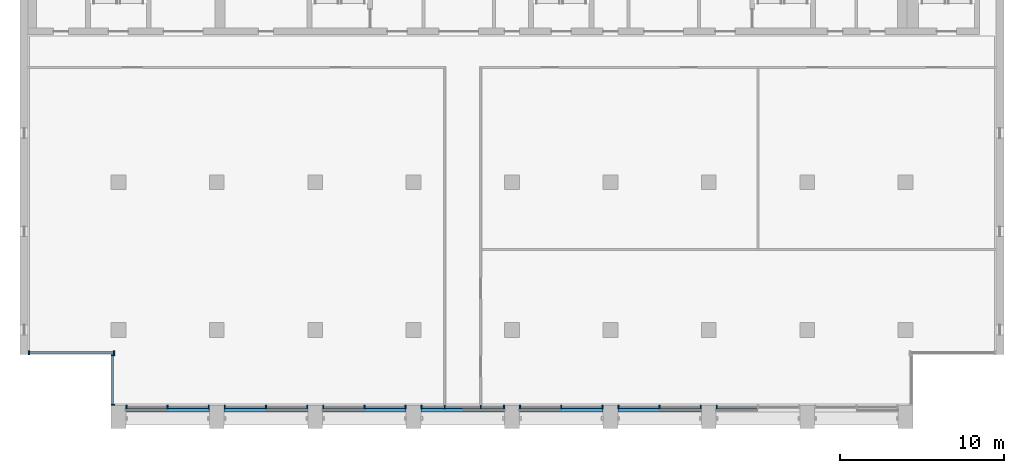
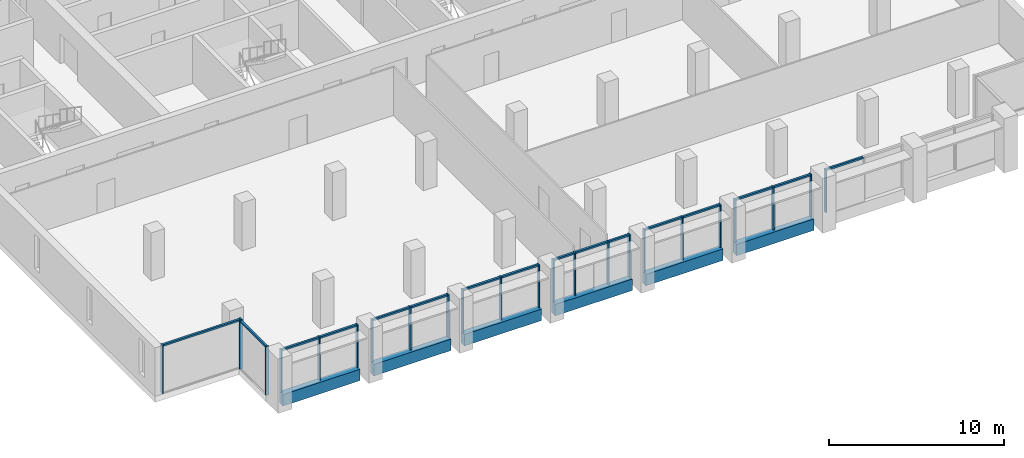
# One storey, part 2 of 14: 40 members, 6 beams, 9 elements without a shape of their own.
"""IFC4 building model written with IfcOpenShell, lengths in metres."""

import ifcopenshell
import ifcopenshell.guid

model = None  # the IFC model being written
_history = None  # IfcOwnerHistory: only IFC2X3 demands one
_inside = {}  # id of a spatial element -> (the spatial element, [elements in it])
_under = {}  # id of a project, library or spatial element -> (it, [spatial elements below it])
_declared = {}  # id of a project -> (the project, [libraries it declares])
_typed = {}  # id of a type object -> (the type object, [elements of that type])
_made_of = {}  # id of a material, layer set ... -> (it, [elements and type objects made of it])


def new_model(schema):
    """Start an empty IFC model of exactly this schema.

    Asked for "IFC4X3", IfcOpenShell would pick the latest addendum, in which some entities
    have other attributes; the version numbers below select the first issue.
    IFC2X3 requires an IfcOwnerHistory on every rooted entity: one is made here for all.
    """
    global model, _history
    if schema == "IFC4X3":
        model = ifcopenshell.file(schema_version=(4, 3, 0, 0))
    else:
        model = ifcopenshell.file(schema=schema)
    _inside.clear()
    _under.clear()
    _declared.clear()
    _typed.clear()
    _made_of.clear()
    _history = None
    if model.schema == "IFC2X3":
        org = make("IfcOrganization", Name="unknown")
        user = make(
            "IfcPersonAndOrganization",
            ThePerson=make("IfcPerson", FamilyName="unknown"),
            TheOrganization=org,
        )
        app = make(
            "IfcApplication",
            ApplicationDeveloper=org,
            Version="unknown",
            ApplicationFullName="unknown",
            ApplicationIdentifier="unknown",
        )
        _history = make(
            "IfcOwnerHistory",
            OwningUser=user,
            OwningApplication=app,
            ChangeAction="ADDED",
            CreationDate=0,
        )
    return model


def make(cls, **values):
    """One entity of the class cls with the attributes given. An attribute that is None is left unset."""
    return model.create_entity(
        cls, **{name: value for name, value in values.items() if value is not None}
    )


def rooted(cls, **values):
    """An entity with a GlobalId (a new one), such as an element, a storey or a relation."""
    return make(cls, GlobalId=ifcopenshell.guid.new(), OwnerHistory=_history, **values)


def si_unit(unit_type, name, prefix=None):
    """IfcSIUnit, for example si_unit("LENGTHUNIT", "METRE", prefix="MILLI")."""
    return make("IfcSIUnit", UnitType=unit_type, Prefix=prefix, Name=name)


def assignment(units):
    """IfcUnitAssignment: the units of a project."""
    return None if units is None else make("IfcUnitAssignment", Units=units)


def point(xyz):
    """IfcCartesianPoint."""
    return None if xyz is None else make("IfcCartesianPoint", Coordinates=xyz)


def direction(xyz):
    """IfcDirection."""
    return None if xyz is None else make("IfcDirection", DirectionRatios=xyz)


def frame(location, z_axis=None, x_axis=None):
    """IfcAxis2Placement3D, a coordinate frame: its origin and axes. An axis left out is left unset."""
    return make(
        "IfcAxis2Placement3D",
        Location=point(location),
        Axis=direction(z_axis),
        RefDirection=direction(x_axis),
    )


def frame_2d(location, x_axis=None):
    """IfcAxis2Placement2D, a coordinate frame in the plane: its origin and x axis."""
    return make(
        "IfcAxis2Placement2D", Location=point(location), RefDirection=direction(x_axis)
    )


def origin():
    """The frame at (0, 0, 0) with its axes left unset."""
    return frame((0.0, 0.0, 0.0))


def origin_2d():
    """The frame at (0, 0) in the plane with its x axis left unset."""
    return frame_2d((0.0, 0.0))


def place(relative_to, where):
    """IfcLocalPlacement: puts the frame where relative to a parent placement (None: the world)."""
    return make(
        "IfcLocalPlacement", PlacementRelTo=relative_to, RelativePlacement=where
    )


def context(
    kind, dimensions, precision=None, world=None, true_north=None, identifier=None
):
    """IfcGeometricRepresentationContext, for example the 3D "Model" context."""
    return make(
        "IfcGeometricRepresentationContext",
        ContextIdentifier=identifier,
        ContextType=kind,
        CoordinateSpaceDimension=dimensions,
        Precision=precision,
        WorldCoordinateSystem=world,
        TrueNorth=true_north,
    )


def subcontext(parent, identifier, kind, view, scale=None):
    """IfcGeometricRepresentationSubContext, for example "Body" below "Model"."""
    return make(
        "IfcGeometricRepresentationSubContext",
        ContextIdentifier=identifier,
        ContextType=kind,
        ParentContext=parent,
        TargetScale=scale,
        TargetView=view,
    )


def project(units=None, contexts=None):
    """IfcProject with its units and contexts."""
    return rooted(
        "IfcProject",
        Name="project",
        RepresentationContexts=contexts,
        UnitsInContext=assignment(units),
    )


def spatial(cls, under=None, at=None, **own):
    """A site, building, storey or space (cls), placed at a placement, below another one or the project."""
    s = rooted(cls, ObjectPlacement=at, **own)
    if under is not None:
        _under.setdefault(under.id(), (under, []))[1].append(s)
    return s


def profile(cls, at=None, kind="AREA", **sizes):
    """A parametric profile (cls). Its sizes go by their IFC names, for example OverallWidth=200.0."""
    return make(cls, ProfileType=kind, Position=at, **sizes)


def rectangle(**sizes):
    """IfcRectangleProfileDef."""
    return profile("IfcRectangleProfileDef", **sizes)


def extrude(swept, where, along, depth):
    """IfcExtrudedAreaSolid: the profile swept, set in the frame where, extruded along a direction by depth."""
    return make(
        "IfcExtrudedAreaSolid",
        SweptArea=swept,
        Position=where,
        ExtrudedDirection=direction(along),
        Depth=depth,
    )


def shape(context_of_items, identifier, shape_type, items):
    """IfcShapeRepresentation: the items that make up one representation, for example the "Body"."""
    return make(
        "IfcShapeRepresentation",
        ContextOfItems=context_of_items,
        RepresentationIdentifier=identifier,
        RepresentationType=shape_type,
        Items=items,
    )


def material(Name=None, Category=None):
    """IfcMaterial."""
    return make("IfcMaterial", Name=Name, Category=Category)


def material_profile(
    of_material, cross_section, Name=None, Category=None, Priority=None
):
    """IfcMaterialProfile: a cross section and its material."""
    return make(
        "IfcMaterialProfile",
        Name=Name,
        Material=of_material,
        Profile=cross_section,
        Priority=Priority,
        Category=Category,
    )


def profile_set(profiles, Name=None, composite=None):
    """IfcMaterialProfileSet."""
    return make(
        "IfcMaterialProfileSet",
        Name=Name,
        MaterialProfiles=profiles,
        CompositeProfile=composite,
    )


def made_of(thing, what):
    """Note that an element or type object is made of a material, layer set ...; save() writes the relation."""
    if what is not None:
        _made_of.setdefault(what.id(), (what, []))[1].append(thing)
    return thing


def type_object(cls, material=None, **own):
    """A type object (cls), such as IfcWallType, which elements share."""
    return made_of(rooted(cls, **own), material)


def element(
    cls,
    number,
    at=None,
    inside=None,
    cuts=None,
    type_object=None,
    material=None,
    context=None,
    identifier="Body",
    shape_type=None,
    held_by="IfcProductDefinitionShape",
    body=None,
    shapes=None,
    **own,
):
    """One element of the class cls, such as IfcWall. Its Tag is "e" and its number.

    at: its placement. inside: the storey or other place that contains it. cuts: it is an
    opening in that element (IfcRelVoidsElement). A single representation is given by context,
    identifier, shape_type and body (its items); several are given by shapes. held_by: the class
    of the entity that holds the representations. save() writes the other relations.
    """
    e = rooted(cls, Tag="e%d" % number, ObjectPlacement=at, **own)
    if body is not None:
        shapes = [shape(context, identifier, shape_type, body)]
    if shapes is not None:
        e.Representation = make(held_by, Representations=shapes)
    if inside is not None:
        _inside.setdefault(inside.id(), (inside, []))[1].append(e)
    if cuts is not None:
        rooted(
            "IfcRelVoidsElement", RelatingBuildingElement=cuts, RelatedOpeningElement=e
        )
    if type_object is not None:
        _typed.setdefault(type_object.id(), (type_object, []))[1].append(e)
    return made_of(e, material)


def aggregate(whole, parts):
    """IfcRelAggregates: a whole, such as a stair, and the parts it consists of."""
    return rooted("IfcRelAggregates", RelatingObject=whole, RelatedObjects=parts)


def save(model, path):
    """Write the relations noted so far, then the file.

    IfcRelAggregates (storeys below a building ...), IfcRelContainedInSpatialStructure (elements
    in a storey), IfcRelDefinesByType, IfcRelAssociatesMaterial and IfcRelDeclares: one each for
    every whole, place, type object, material and project.
    """
    for whole, parts in _under.values():
        aggregate(whole, parts)
    for where, things in _inside.values():
        rooted(
            "IfcRelContainedInSpatialStructure",
            RelatedElements=things,
            RelatingStructure=where,
        )
    for kind, things in _typed.values():
        rooted("IfcRelDefinesByType", RelatedObjects=things, RelatingType=kind)
    for what, things in _made_of.values():
        rooted("IfcRelAssociatesMaterial", RelatedObjects=things, RelatingMaterial=what)
    for by, libraries in _declared.values():
        rooted("IfcRelDeclares", RelatingContext=by, RelatedDefinitions=libraries)
    model.write(path)


model = new_model("IFC4")

# Units and contexts
model_context = context("Model", 3, precision=1e-05, world=origin(), true_north=direction((0.0, 1.0)))
body_context = subcontext(model_context, "Body", "Model", "MODEL_VIEW")
ifc_project = project(units=[si_unit("LENGTHUNIT", "METRE"), si_unit("AREAUNIT", "SQUARE_METRE"), si_unit("VOLUMEUNIT", "CUBIC_METRE"), si_unit("PLANEANGLEUNIT", "RADIAN"), si_unit("MASSUNIT", "GRAM", prefix="KILO")], contexts=[model_context])

# Site, building, storey
site_placement = place(None, origin())
site = spatial("IfcSite", under=ifc_project, at=site_placement, CompositionType="ELEMENT")
building_placement = place(site_placement, origin())
building = spatial("IfcBuilding", under=site, at=building_placement, Name="Calvaro Tower", CompositionType="ELEMENT")
storey_placement = place(building_placement, frame((0.0, 0.0, 243.14990234375)))
storey = spatial("IfcBuildingStorey", under=building, at=storey_placement, Name="L61", CompositionType="ELEMENT", Elevation=243.14990234375)

# Curtain wall, members
ifc_material_1 = material(Name="Anodised aluminium", Category="aluminium")
curtain_wall_type = type_object("IfcCurtainWallType", Name="Executive curtain wall", PredefinedType="NOTDEFINED", material=ifc_material_1)
curtain_wall_1_placement = place(storey_placement, origin())
curtain_wall_1 = element("IfcCurtainWall", 1, at=curtain_wall_1_placement, inside=storey, type_object=curtain_wall_type, Name="CW4 south curtain wall", PredefinedType="NOTDEFINED")
ifc_material_2 = material(Name="Anodised aluminium", Category="aluminium")
ifc_material_profile_1 = material_profile(ifc_material_2, rectangle(XDim=0.219970703125, YDim=0.080078125, at=origin_2d()), Name="Mullion S4 80 x 220")
ifc_profile_set_1 = profile_set([ifc_material_profile_1], Name="Anodised aluminium")
member_type_1 = type_object("IfcMemberType", Name="Mullion S4 80 x 220", PredefinedType="MULLION", material=ifc_profile_set_1)
member_1_placement = place(storey_placement, frame((12.489990234375, 5.2900390625, 0.0), z_axis=(0.0, 0.0, 1.0), x_axis=(0.0, 1.0, 0.0)))
member_1 = element("IfcMember", 2, at=member_1_placement, type_object=member_type_1, Name="CW4 mullion 1", PredefinedType="MULLION", context=body_context, shape_type="SweptSolid", body=[
    extrude(rectangle(XDim=0.219970703125, YDim=0.080078125, at=origin_2d()), origin(), (0.0, 0.0, 1.0), 3.0),
])
member_2_placement = place(storey_placement, frame((15.0, 5.2900390625, 0.0), z_axis=(0.0, 0.0, 1.0), x_axis=(0.0, 1.0, 0.0)))
member_2 = element("IfcMember", 3, at=member_2_placement, type_object=member_type_1, Name="CW4 mullion 2", PredefinedType="MULLION", context=body_context, shape_type="SweptSolid", body=[
    extrude(rectangle(XDim=0.219970703125, YDim=0.080078125, at=origin_2d()), origin(), (0.0, 0.0, 1.0), 3.0),
])
member_3_placement = place(storey_placement, frame((17.510009765625, 5.2900390625, 0.0), z_axis=(0.0, 0.0, 1.0), x_axis=(0.0, 1.0, 0.0)))
member_3 = element("IfcMember", 4, at=member_3_placement, type_object=member_type_1, Name="CW4 mullion 3", PredefinedType="MULLION", context=body_context, shape_type="SweptSolid", body=[
    extrude(rectangle(XDim=0.219970703125, YDim=0.080078125, at=origin_2d()), origin(), (0.0, 0.0, 1.0), 3.0),
])

curtain_wall_2_placement = place(storey_placement, origin())
curtain_wall_2 = element("IfcCurtainWall", 5, at=curtain_wall_2_placement, inside=storey, type_object=curtain_wall_type, Name="CW4 south curtain wall", PredefinedType="NOTDEFINED")
member_4_placement = place(storey_placement, frame((18.489990234375, 5.2900390625, 0.0), z_axis=(0.0, 0.0, 1.0), x_axis=(0.0, 1.0, 0.0)))
member_4 = element("IfcMember", 6, at=member_4_placement, type_object=member_type_1, Name="CW4 mullion 1", PredefinedType="MULLION", context=body_context, shape_type="SweptSolid", body=[
    extrude(rectangle(XDim=0.219970703125, YDim=0.080078125, at=origin_2d()), origin(), (0.0, 0.0, 1.0), 3.0),
])
member_5_placement = place(storey_placement, frame((21.0, 5.2900390625, 0.0), z_axis=(0.0, 0.0, 1.0), x_axis=(0.0, 1.0, 0.0)))
member_5 = element("IfcMember", 7, at=member_5_placement, type_object=member_type_1, Name="CW4 mullion 2", PredefinedType="MULLION", context=body_context, shape_type="SweptSolid", body=[
    extrude(rectangle(XDim=0.219970703125, YDim=0.080078125, at=origin_2d()), origin(), (0.0, 0.0, 1.0), 3.0),
])
member_6_placement = place(storey_placement, frame((23.510009765625, 5.2900390625, 0.0), z_axis=(0.0, 0.0, 1.0), x_axis=(0.0, 1.0, 0.0)))
member_6 = element("IfcMember", 8, at=member_6_placement, type_object=member_type_1, Name="CW4 mullion 3", PredefinedType="MULLION", context=body_context, shape_type="SweptSolid", body=[
    extrude(rectangle(XDim=0.219970703125, YDim=0.080078125, at=origin_2d()), origin(), (0.0, 0.0, 1.0), 3.0),
])

curtain_wall_3_placement = place(storey_placement, origin())
curtain_wall_3 = element("IfcCurtainWall", 9, at=curtain_wall_3_placement, inside=storey, type_object=curtain_wall_type, Name="CW4 south curtain wall", PredefinedType="NOTDEFINED")
member_7_placement = place(storey_placement, frame((24.489990234375, 5.2900390625, 0.0), z_axis=(0.0, 0.0, 1.0), x_axis=(0.0, 1.0, 0.0)))
member_7 = element("IfcMember", 10, at=member_7_placement, type_object=member_type_1, Name="CW4 mullion 1", PredefinedType="MULLION", context=body_context, shape_type="SweptSolid", body=[
    extrude(rectangle(XDim=0.219970703125, YDim=0.080078125, at=origin_2d()), origin(), (0.0, 0.0, 1.0), 3.0),
])
member_8_placement = place(storey_placement, frame((27.0, 5.2900390625, 0.0), z_axis=(0.0, 0.0, 1.0), x_axis=(0.0, 1.0, 0.0)))
member_8 = element("IfcMember", 11, at=member_8_placement, type_object=member_type_1, Name="CW4 mullion 2", PredefinedType="MULLION", context=body_context, shape_type="SweptSolid", body=[
    extrude(rectangle(XDim=0.219970703125, YDim=0.080078125, at=origin_2d()), origin(), (0.0, 0.0, 1.0), 3.0),
])
member_9_placement = place(storey_placement, frame((29.510009765625, 5.2900390625, 0.0), z_axis=(0.0, 0.0, 1.0), x_axis=(0.0, 1.0, 0.0)))
member_9 = element("IfcMember", 12, at=member_9_placement, type_object=member_type_1, Name="CW4 mullion 3", PredefinedType="MULLION", context=body_context, shape_type="SweptSolid", body=[
    extrude(rectangle(XDim=0.219970703125, YDim=0.080078125, at=origin_2d()), origin(), (0.0, 0.0, 1.0), 3.0),
])

curtain_wall_4_placement = place(storey_placement, origin())
curtain_wall_4 = element("IfcCurtainWall", 13, at=curtain_wall_4_placement, inside=storey, type_object=curtain_wall_type, Name="CW4 south curtain wall", PredefinedType="NOTDEFINED")
member_10_placement = place(storey_placement, frame((30.489990234375, 5.2900390625, 0.0), z_axis=(0.0, 0.0, 1.0), x_axis=(0.0, 1.0, 0.0)))
member_10 = element("IfcMember", 14, at=member_10_placement, type_object=member_type_1, Name="CW4 mullion 1", PredefinedType="MULLION", context=body_context, shape_type="SweptSolid", body=[
    extrude(rectangle(XDim=0.219970703125, YDim=0.080078125, at=origin_2d()), origin(), (0.0, 0.0, 1.0), 3.0),
])
member_11_placement = place(storey_placement, frame((31.89990234375, 5.2900390625, 0.0), z_axis=(0.0, 0.0, 1.0), x_axis=(0.0, 1.0, 0.0)))
member_11 = element("IfcMember", 15, at=member_11_placement, type_object=member_type_1, Name="CW4 mullion 2", PredefinedType="MULLION", context=body_context, shape_type="SweptSolid", body=[
    extrude(rectangle(XDim=0.219970703125, YDim=0.080078125, at=origin_2d()), origin(), (0.0, 0.0, 1.0), 3.0),
])
member_12_placement = place(storey_placement, frame((34.10009765625, 5.2900390625, 0.0), z_axis=(0.0, 0.0, 1.0), x_axis=(0.0, 1.0, 0.0)))
member_12 = element("IfcMember", 16, at=member_12_placement, type_object=member_type_1, Name="CW4 mullion 3", PredefinedType="MULLION", context=body_context, shape_type="SweptSolid", body=[
    extrude(rectangle(XDim=0.219970703125, YDim=0.080078125, at=origin_2d()), origin(), (0.0, 0.0, 1.0), 3.0),
])
member_13_placement = place(storey_placement, frame((35.510009765625, 5.2900390625, 0.0), z_axis=(0.0, 0.0, 1.0), x_axis=(0.0, 1.0, 0.0)))
member_13 = element("IfcMember", 17, at=member_13_placement, type_object=member_type_1, Name="CW4 mullion 4", PredefinedType="MULLION", context=body_context, shape_type="SweptSolid", body=[
    extrude(rectangle(XDim=0.219970703125, YDim=0.080078125, at=origin_2d()), origin(), (0.0, 0.0, 1.0), 3.0),
])

curtain_wall_5_placement = place(storey_placement, origin())
curtain_wall_5 = element("IfcCurtainWall", 18, at=curtain_wall_5_placement, inside=storey, type_object=curtain_wall_type, Name="CW4 south curtain wall", PredefinedType="NOTDEFINED")
member_14_placement = place(storey_placement, frame((36.489990234375, 5.2900390625, 0.0), z_axis=(0.0, 0.0, 1.0), x_axis=(0.0, 1.0, 0.0)))
member_14 = element("IfcMember", 19, at=member_14_placement, type_object=member_type_1, Name="CW4 mullion 1", PredefinedType="MULLION", context=body_context, shape_type="SweptSolid", body=[
    extrude(rectangle(XDim=0.219970703125, YDim=0.080078125, at=origin_2d()), origin(), (0.0, 0.0, 1.0), 3.0),
])
member_15_placement = place(storey_placement, frame((39.0, 5.2900390625, 0.0), z_axis=(0.0, 0.0, 1.0), x_axis=(0.0, 1.0, 0.0)))
member_15 = element("IfcMember", 20, at=member_15_placement, type_object=member_type_1, Name="CW4 mullion 2", PredefinedType="MULLION", context=body_context, shape_type="SweptSolid", body=[
    extrude(rectangle(XDim=0.219970703125, YDim=0.080078125, at=origin_2d()), origin(), (0.0, 0.0, 1.0), 3.0),
])
member_16_placement = place(storey_placement, frame((41.510009765625, 5.2900390625, 0.0), z_axis=(0.0, 0.0, 1.0), x_axis=(0.0, 1.0, 0.0)))
member_16 = element("IfcMember", 21, at=member_16_placement, type_object=member_type_1, Name="CW4 mullion 3", PredefinedType="MULLION", context=body_context, shape_type="SweptSolid", body=[
    extrude(rectangle(XDim=0.219970703125, YDim=0.080078125, at=origin_2d()), origin(), (0.0, 0.0, 1.0), 3.0),
])

curtain_wall_6_placement = place(storey_placement, origin())
curtain_wall_6 = element("IfcCurtainWall", 22, at=curtain_wall_6_placement, inside=storey, type_object=curtain_wall_type, Name="CW4 south curtain wall", PredefinedType="NOTDEFINED")
member_17_placement = place(storey_placement, frame((42.489990234375, 5.2900390625, 0.0), z_axis=(0.0, 0.0, 1.0), x_axis=(0.0, 1.0, 0.0)))
member_17 = element("IfcMember", 23, at=member_17_placement, type_object=member_type_1, Name="CW4 mullion 1", PredefinedType="MULLION", context=body_context, shape_type="SweptSolid", body=[
    extrude(rectangle(XDim=0.219970703125, YDim=0.080078125, at=origin_2d()), origin(), (0.0, 0.0, 1.0), 3.0),
])
member_18_placement = place(storey_placement, frame((45.0, 5.2900390625, 0.0), z_axis=(0.0, 0.0, 1.0), x_axis=(0.0, 1.0, 0.0)))
member_18 = element("IfcMember", 24, at=member_18_placement, type_object=member_type_1, Name="CW4 mullion 2", PredefinedType="MULLION", context=body_context, shape_type="SweptSolid", body=[
    extrude(rectangle(XDim=0.219970703125, YDim=0.080078125, at=origin_2d()), origin(), (0.0, 0.0, 1.0), 3.0),
])
member_19_placement = place(storey_placement, frame((47.510009765625, 5.2900390625, 0.0), z_axis=(0.0, 0.0, 1.0), x_axis=(0.0, 1.0, 0.0)))
member_19 = element("IfcMember", 25, at=member_19_placement, type_object=member_type_1, Name="CW4 mullion 3", PredefinedType="MULLION", context=body_context, shape_type="SweptSolid", body=[
    extrude(rectangle(XDim=0.219970703125, YDim=0.080078125, at=origin_2d()), origin(), (0.0, 0.0, 1.0), 3.0),
])

# Curtain wall, member
curtain_wall_7_placement = place(storey_placement, origin())
curtain_wall_7 = element("IfcCurtainWall", 26, at=curtain_wall_7_placement, inside=storey, type_object=curtain_wall_type, Name="CW4 south curtain wall", PredefinedType="NOTDEFINED")
member_20_placement = place(storey_placement, frame((48.489990234375, 5.2900390625, 0.0), z_axis=(0.0, 0.0, 1.0), x_axis=(0.0, 1.0, 0.0)))
member_20 = element("IfcMember", 27, at=member_20_placement, type_object=member_type_1, Name="CW4 mullion 1", PredefinedType="MULLION", context=body_context, shape_type="SweptSolid", body=[
    extrude(rectangle(XDim=0.219970703125, YDim=0.080078125, at=origin_2d()), origin(), (0.0, 0.0, 1.0), 3.0),
])

# Curtain wall, members
curtain_wall_8_placement = place(storey_placement, origin())
curtain_wall_8 = element("IfcCurtainWall", 28, at=curtain_wall_8_placement, inside=storey, type_object=curtain_wall_type, Name="CW4 corner curtain wall", PredefinedType="NOTDEFINED")
member_21_placement = place(storey_placement, frame((11.659912109375, 5.43994140625, 0.0), z_axis=(0.0, 0.0, 1.0), x_axis=(-1.0, 0.0, 0.0)))
member_21 = element("IfcMember", 29, at=member_21_placement, type_object=member_type_1, Name="CW4 mullion 1", PredefinedType="MULLION", context=body_context, shape_type="SweptSolid", body=[
    extrude(rectangle(XDim=0.219970703125, YDim=0.080078125, at=origin_2d()), origin(), (0.0, 0.0, 1.0), 3.400146484375),
])
member_22_placement = place(storey_placement, frame((11.659912109375, 8.4599609375, 0.0), z_axis=(0.0, 0.0, 1.0), x_axis=(-1.0, 0.0, 0.0)))
member_22 = element("IfcMember", 30, at=member_22_placement, type_object=member_type_1, Name="CW4 mullion 2", PredefinedType="MULLION", context=body_context, shape_type="SweptSolid", body=[
    extrude(rectangle(XDim=0.219970703125, YDim=0.080078125, at=origin_2d()), origin(), (0.0, 0.0, 1.0), 3.400146484375),
])

curtain_wall_9_placement = place(storey_placement, origin())
curtain_wall_9 = element("IfcCurtainWall", 31, at=curtain_wall_9_placement, inside=storey, type_object=curtain_wall_type, Name="CW4 corner curtain wall", PredefinedType="NOTDEFINED")
member_23_placement = place(storey_placement, frame((6.5400390625, 8.610107421875, 0.0), z_axis=(0.0, 0.0, 1.0), x_axis=(0.0, 1.0, 0.0)))
member_23 = element("IfcMember", 32, at=member_23_placement, type_object=member_type_1, Name="CW4 mullion 1", PredefinedType="MULLION", context=body_context, shape_type="SweptSolid", body=[
    extrude(rectangle(XDim=0.219970703125, YDim=0.080078125, at=origin_2d()), origin(), (0.0, 0.0, 1.0), 3.400146484375),
])
member_24_placement = place(storey_placement, frame((11.72998046875, 8.610107421875, 0.0), z_axis=(0.0, 0.0, 1.0), x_axis=(0.0, 1.0, 0.0)))
member_24 = element("IfcMember", 33, at=member_24_placement, type_object=member_type_1, Name="CW4 mullion 2", PredefinedType="MULLION", context=body_context, shape_type="SweptSolid", body=[
    extrude(rectangle(XDim=0.219970703125, YDim=0.080078125, at=origin_2d()), origin(), (0.0, 0.0, 1.0), 3.400146484375),
])

# Beams
ifc_material_3 = material(Name="Concrete C50/60 precast", Category="concrete")
ifc_material_profile_2 = material_profile(ifc_material_3, rectangle(XDim=0.39990234375, YDim=0.800048828125, at=origin_2d()), Name="RC 400x800")
ifc_profile_set_2 = profile_set([ifc_material_profile_2], Name="Concrete C50/60 precast")
beam_type = type_object("IfcBeamType", Name="Spandrel beam 400x800 C50/60", PredefinedType="SPANDREL", material=ifc_profile_set_2)
for number, where, z_axis, x_axis, name in (
    (34, (12.449951171875, 5.199951171875, -0.39990234375), (1.0, 0.0, 0.0), (0.0, 1.0, 0.0), "Spandrel beam"),
    (35, (18.449951171875, 5.199951171875, -0.39990234375), (1.0, 0.0, 0.0), (0.0, 1.0, 0.0), "Spandrel beam"),
    (36, (24.449951171875, 5.199951171875, -0.39990234375), (1.0, 0.0, 0.0), (0.0, 1.0, 0.0), "Spandrel beam"),
    (37, (30.449951171875, 5.199951171875, -0.39990234375), (1.0, 0.0, 0.0), (0.0, 1.0, 0.0), "Spandrel beam"),
    (38, (36.449951171875, 5.199951171875, -0.39990234375), (1.0, 0.0, 0.0), (0.0, 1.0, 0.0), "Spandrel beam"),
    (39, (42.449951171875, 5.199951171875, -0.39990234375), (1.0, 0.0, 0.0), (0.0, 1.0, 0.0), "Spandrel beam"),
):
    element("IfcBeam", number, at=place(storey_placement, frame(where, z_axis=z_axis, x_axis=x_axis)), inside=storey, type_object=beam_type, Name=name, PredefinedType="SPANDREL", context=body_context, shape_type="SweptSolid", body=[
        extrude(rectangle(XDim=0.39990234375, YDim=0.800048828125, at=origin_2d()), origin(), (0.0, 0.0, 1.0), 5.10009765625),
    ])

# Member
ifc_material_4 = material(Name="Anodised aluminium", Category="aluminium")
ifc_material_profile_3 = material_profile(ifc_material_4, rectangle(XDim=0.139892578125, YDim=0.1201171875, at=origin_2d()), Name="Transom S4 120 x 140")
ifc_profile_set_3 = profile_set([ifc_material_profile_3], Name="Anodised aluminium")
member_type_2 = type_object("IfcMemberType", Name="Transom S4 120 x 140", PredefinedType="USERDEFINED", material=ifc_profile_set_3)
member_25_placement = place(storey_placement, frame((12.530029296875, 5.2900390625, 2.940185546875), z_axis=(1.0, 0.0, 0.0), x_axis=(0.0, 1.0, 0.0)))
member_25 = element("IfcMember", 40, at=member_25_placement, type_object=member_type_2, Name="CW4 transom 1.1", ObjectType="TRANSOM", PredefinedType="USERDEFINED", context=body_context, shape_type="SweptSolid", body=[
    extrude(rectangle(XDim=0.139892578125, YDim=0.1201171875, at=origin_2d()), origin(), (0.0, 0.0, 1.0), 2.429931640625),
])

member_26_placement = place(storey_placement, frame((15.0400390625, 5.2900390625, 2.940185546875), z_axis=(1.0, 0.0, 0.0), x_axis=(0.0, 1.0, 0.0)))
member_26 = element("IfcMember", 41, at=member_26_placement, type_object=member_type_2, Name="CW4 transom 2.1", ObjectType="TRANSOM", PredefinedType="USERDEFINED", context=body_context, shape_type="SweptSolid", body=[
    extrude(rectangle(XDim=0.139892578125, YDim=0.1201171875, at=origin_2d()), origin(), (0.0, 0.0, 1.0), 2.429931640625),
])

aggregate(curtain_wall_1, [member_1, member_2, member_3, member_25, member_26])

member_27_placement = place(storey_placement, frame((18.530029296875, 5.2900390625, 2.940185546875), z_axis=(1.0, 0.0, 0.0), x_axis=(0.0, 1.0, 0.0)))
member_27 = element("IfcMember", 42, at=member_27_placement, type_object=member_type_2, Name="CW4 transom 1.1", ObjectType="TRANSOM", PredefinedType="USERDEFINED", context=body_context, shape_type="SweptSolid", body=[
    extrude(rectangle(XDim=0.139892578125, YDim=0.1201171875, at=origin_2d()), origin(), (0.0, 0.0, 1.0), 2.429931640625),
])

member_28_placement = place(storey_placement, frame((21.0400390625, 5.2900390625, 2.940185546875), z_axis=(1.0, 0.0, 0.0), x_axis=(0.0, 1.0, 0.0)))
member_28 = element("IfcMember", 43, at=member_28_placement, type_object=member_type_2, Name="CW4 transom 2.1", ObjectType="TRANSOM", PredefinedType="USERDEFINED", context=body_context, shape_type="SweptSolid", body=[
    extrude(rectangle(XDim=0.139892578125, YDim=0.1201171875, at=origin_2d()), origin(), (0.0, 0.0, 1.0), 2.429931640625),
])

aggregate(curtain_wall_2, [member_4, member_5, member_6, member_27, member_28])

member_29_placement = place(storey_placement, frame((24.530029296875, 5.2900390625, 2.940185546875), z_axis=(1.0, 0.0, 0.0), x_axis=(0.0, 1.0, 0.0)))
member_29 = element("IfcMember", 44, at=member_29_placement, type_object=member_type_2, Name="CW4 transom 1.1", ObjectType="TRANSOM", PredefinedType="USERDEFINED", context=body_context, shape_type="SweptSolid", body=[
    extrude(rectangle(XDim=0.139892578125, YDim=0.1201171875, at=origin_2d()), origin(), (0.0, 0.0, 1.0), 2.429931640625),
])

member_30_placement = place(storey_placement, frame((27.0400390625, 5.2900390625, 2.940185546875), z_axis=(1.0, 0.0, 0.0), x_axis=(0.0, 1.0, 0.0)))
member_30 = element("IfcMember", 45, at=member_30_placement, type_object=member_type_2, Name="CW4 transom 2.1", ObjectType="TRANSOM", PredefinedType="USERDEFINED", context=body_context, shape_type="SweptSolid", body=[
    extrude(rectangle(XDim=0.139892578125, YDim=0.1201171875, at=origin_2d()), origin(), (0.0, 0.0, 1.0), 2.429931640625),
])

aggregate(curtain_wall_3, [member_7, member_8, member_9, member_29, member_30])

member_31_placement = place(storey_placement, frame((30.530029296875, 5.2900390625, 2.940185546875), z_axis=(1.0, 0.0, 0.0), x_axis=(0.0, 1.0, 0.0)))
member_31 = element("IfcMember", 46, at=member_31_placement, type_object=member_type_2, Name="CW4 transom 1.1", ObjectType="TRANSOM", PredefinedType="USERDEFINED", context=body_context, shape_type="SweptSolid", body=[
    extrude(rectangle(XDim=0.139892578125, YDim=0.1201171875, at=origin_2d()), origin(), (0.0, 0.0, 1.0), 1.330078125),
])

member_32_placement = place(storey_placement, frame((31.93994140625, 5.2900390625, 2.940185546875), z_axis=(1.0, 0.0, 0.0), x_axis=(0.0, 1.0, 0.0)))
member_32 = element("IfcMember", 47, at=member_32_placement, type_object=member_type_2, Name="CW4 transom 2.1", ObjectType="TRANSOM", PredefinedType="USERDEFINED", context=body_context, shape_type="SweptSolid", body=[
    extrude(rectangle(XDim=0.139892578125, YDim=0.1201171875, at=origin_2d()), origin(), (0.0, 0.0, 1.0), 2.1201171875),
])

member_33_placement = place(storey_placement, frame((34.139892578125, 5.2900390625, 2.940185546875), z_axis=(1.0, 0.0, 0.0), x_axis=(0.0, 1.0, 0.0)))
member_33 = element("IfcMember", 48, at=member_33_placement, type_object=member_type_2, Name="CW4 transom 3.1", ObjectType="TRANSOM", PredefinedType="USERDEFINED", context=body_context, shape_type="SweptSolid", body=[
    extrude(rectangle(XDim=0.139892578125, YDim=0.1201171875, at=origin_2d()), origin(), (0.0, 0.0, 1.0), 1.330078125),
])

aggregate(curtain_wall_4, [member_10, member_11, member_12, member_13, member_31, member_32, member_33])

member_34_placement = place(storey_placement, frame((36.530029296875, 5.2900390625, 2.940185546875), z_axis=(1.0, 0.0, 0.0), x_axis=(0.0, 1.0, 0.0)))
member_34 = element("IfcMember", 49, at=member_34_placement, type_object=member_type_2, Name="CW4 transom 1.1", ObjectType="TRANSOM", PredefinedType="USERDEFINED", context=body_context, shape_type="SweptSolid", body=[
    extrude(rectangle(XDim=0.139892578125, YDim=0.1201171875, at=origin_2d()), origin(), (0.0, 0.0, 1.0), 2.429931640625),
])

member_35_placement = place(storey_placement, frame((39.0400390625, 5.2900390625, 2.940185546875), z_axis=(1.0, 0.0, 0.0), x_axis=(0.0, 1.0, 0.0)))
member_35 = element("IfcMember", 50, at=member_35_placement, type_object=member_type_2, Name="CW4 transom 2.1", ObjectType="TRANSOM", PredefinedType="USERDEFINED", context=body_context, shape_type="SweptSolid", body=[
    extrude(rectangle(XDim=0.139892578125, YDim=0.1201171875, at=origin_2d()), origin(), (0.0, 0.0, 1.0), 2.429931640625),
])

aggregate(curtain_wall_5, [member_14, member_15, member_16, member_34, member_35])

member_36_placement = place(storey_placement, frame((42.530029296875, 5.2900390625, 2.940185546875), z_axis=(1.0, 0.0, 0.0), x_axis=(0.0, 1.0, 0.0)))
member_36 = element("IfcMember", 51, at=member_36_placement, type_object=member_type_2, Name="CW4 transom 1.1", ObjectType="TRANSOM", PredefinedType="USERDEFINED", context=body_context, shape_type="SweptSolid", body=[
    extrude(rectangle(XDim=0.139892578125, YDim=0.1201171875, at=origin_2d()), origin(), (0.0, 0.0, 1.0), 2.429931640625),
])

member_37_placement = place(storey_placement, frame((45.0400390625, 5.2900390625, 2.940185546875), z_axis=(1.0, 0.0, 0.0), x_axis=(0.0, 1.0, 0.0)))
member_37 = element("IfcMember", 52, at=member_37_placement, type_object=member_type_2, Name="CW4 transom 2.1", ObjectType="TRANSOM", PredefinedType="USERDEFINED", context=body_context, shape_type="SweptSolid", body=[
    extrude(rectangle(XDim=0.139892578125, YDim=0.1201171875, at=origin_2d()), origin(), (0.0, 0.0, 1.0), 2.429931640625),
])

aggregate(curtain_wall_6, [member_17, member_18, member_19, member_36, member_37])

member_38_placement = place(storey_placement, frame((48.530029296875, 5.2900390625, 2.940185546875), z_axis=(1.0, 0.0, 0.0), x_axis=(0.0, 1.0, 0.0)))
member_38 = element("IfcMember", 53, at=member_38_placement, type_object=member_type_2, Name="CW4 transom 1.1", ObjectType="TRANSOM", PredefinedType="USERDEFINED", context=body_context, shape_type="SweptSolid", body=[
    extrude(rectangle(XDim=0.139892578125, YDim=0.1201171875, at=origin_2d()), origin(), (0.0, 0.0, 1.0), 2.429931640625),
])

aggregate(curtain_wall_7, [member_20, member_38])

member_39_placement = place(storey_placement, frame((11.659912109375, 5.47998046875, 3.340087890625), z_axis=(0.0, 1.0, 0.0), x_axis=(-1.0, 0.0, 0.0)))
member_39 = element("IfcMember", 54, at=member_39_placement, type_object=member_type_2, Name="CW4 transom 1.1", ObjectType="TRANSOM", PredefinedType="USERDEFINED", context=body_context, shape_type="SweptSolid", body=[
    extrude(rectangle(XDim=0.139892578125, YDim=0.1201171875, at=origin_2d()), origin(), (0.0, 0.0, 1.0), 2.93994140625),
])

aggregate(curtain_wall_8, [member_21, member_22, member_39])

member_40_placement = place(storey_placement, frame((6.580078125, 8.610107421875, 3.340087890625), z_axis=(1.0, 0.0, 0.0), x_axis=(0.0, 1.0, 0.0)))
member_40 = element("IfcMember", 55, at=member_40_placement, type_object=member_type_2, Name="CW4 transom 1.1", ObjectType="TRANSOM", PredefinedType="USERDEFINED", context=body_context, shape_type="SweptSolid", body=[
    extrude(rectangle(XDim=0.139892578125, YDim=0.1201171875, at=origin_2d()), origin(), (0.0, 0.0, 1.0), 5.10986328125),
])

aggregate(curtain_wall_9, [member_23, member_24, member_40])

save(model, "model.ifc")
